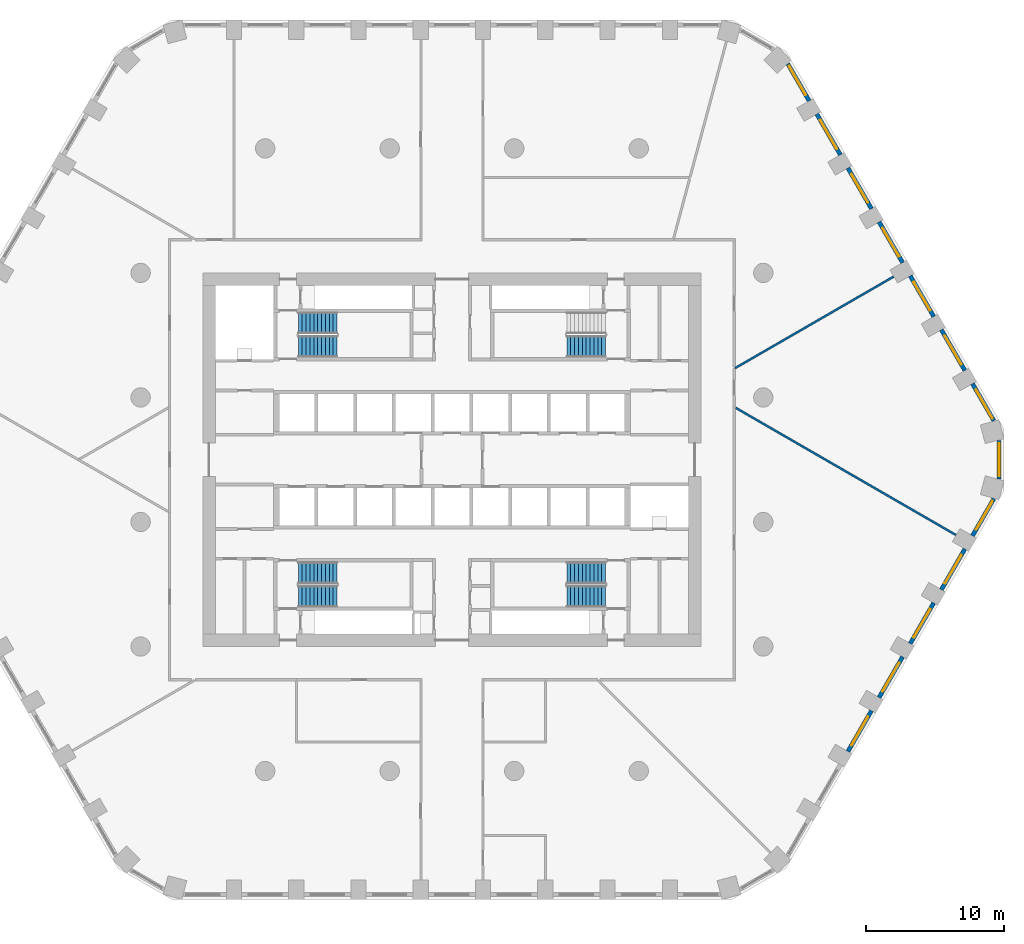
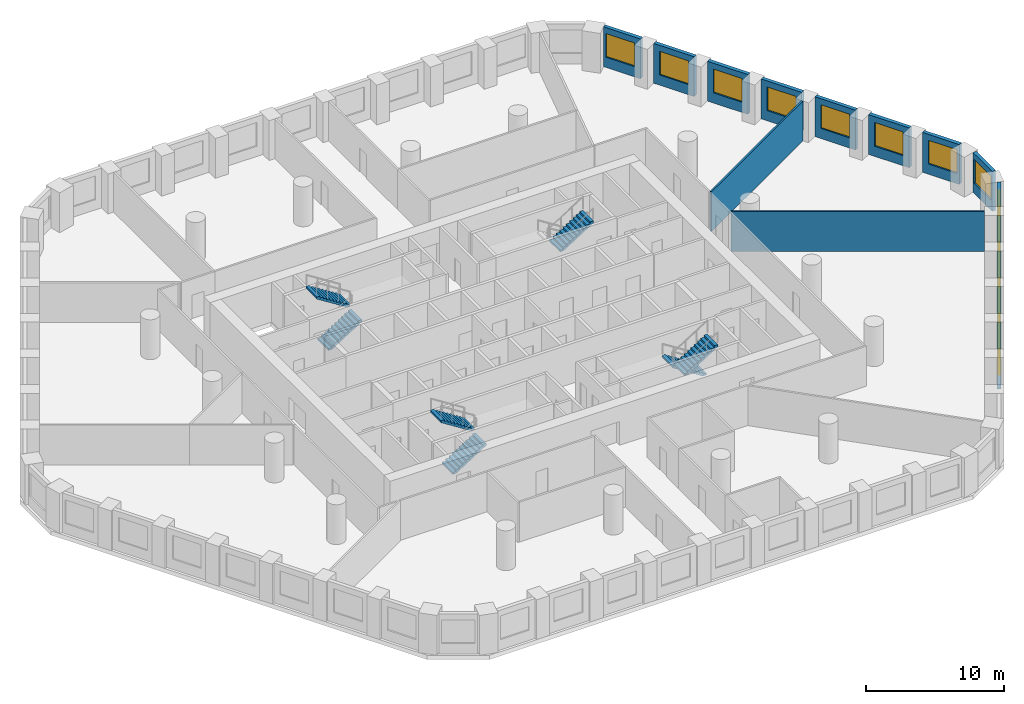
# One storey, part 8 of 10: 15 walls, 13 windows, 7 stair flights, 13 openings, 4 elements without a shape of their own.
"""IFC4 building model written with IfcOpenShell, lengths in metres."""

from ifc_helpers import new_model, si_unit, direction, frame, frame_2d, origin, place, context, subcontext, project, spatial, polyline, rectangle, outline, extrude, material, layer, layer_set, type_object, element, fill, aggregate, save


model = new_model("IFC4")

# Units and contexts
model_context = context("Model", 3, precision=1e-05, world=origin(), true_north=direction((0.0, 1.0)))
body_context = subcontext(model_context, "Body", "Model", "MODEL_VIEW")
ifc_project = project(units=[si_unit("LENGTHUNIT", "METRE"), si_unit("AREAUNIT", "SQUARE_METRE"), si_unit("VOLUMEUNIT", "CUBIC_METRE"), si_unit("PLANEANGLEUNIT", "RADIAN"), si_unit("MASSUNIT", "GRAM", prefix="KILO")], contexts=[model_context])

# Site, building, storey
site_placement = place(None, origin())
site = spatial("IfcSite", under=ifc_project, at=site_placement, CompositionType="ELEMENT")
building_placement = place(site_placement, origin())
building = spatial("IfcBuilding", under=site, at=building_placement, Name="Dhurran Vertical Campus", CompositionType="ELEMENT")
storey_placement = place(building_placement, frame((0.0, 0.0, 49.5)))
storey = spatial("IfcBuildingStorey", under=building, at=storey_placement, Name="L11", CompositionType="ELEMENT", Elevation=49.5)

# Wall, opening, window
ifc_material_1 = material(Name="Precast concrete C50/60", Category="concrete")
ifc_layer_1 = layer(ifc_material_1, 0.300048828125)
ifc_layer_set_1 = layer_set([ifc_layer_1], Name="Precast concrete C50/60")
wall_type_1 = type_object("IfcWallType", Name="Precast spandrel wall 300", PredefinedType="SOLIDWALL", material=ifc_layer_set_1)
wall_1_placement = place(storey_placement, frame((28.619384765625, -21.083740234375, 0.0), z_axis=(0.0, 0.0, 1.0), x_axis=(0.499993955907, 0.866028893315, 0.0)))
wall_1 = element("IfcWall", 1, at=wall_1_placement, inside=storey, type_object=wall_type_1, Name="EW1 L11.12", PredefinedType="SOLIDWALL", context=body_context, shape_type="SweptSolid", body=[
    extrude(rectangle(XDim=3.39892578125, YDim=0.300048828125, at=frame_2d((1.699462890625, 0.0))), origin(), (0.0, 0.0, 1.0), 3.52490234375),
])
opening_1_placement = place(wall_1_placement, frame((0.49951171875, 0.0, 0.89990234375)))
opening_1 = element("IfcOpeningElement", 2, at=opening_1_placement, cuts=wall_1, Name="Opening WT1", PredefinedType="OPENING", context=body_context, shape_type="SweptSolid", body=[
    extrude(rectangle(XDim=2.39990234375, YDim=2.10009765625, at=frame_2d((1.199951171875, 1.050048828125))), frame((0.0, 0.159912109375, 0.0), z_axis=(0.0, -1.0, 0.0), x_axis=(1.0, 0.0, 0.0)), (0.0, 0.0, 1.0), 0.320068359375),
])
ifc_material_2 = material(Name="Aluminium frame with solar-control glass", Category="aluminium")
window_type = type_object("IfcWindowType", Name="Punched window 2400 x 2100", PartitioningType="SINGLE_PANEL", PredefinedType="WINDOW", material=ifc_material_2)
window_1_placement = place(opening_1_placement, origin())
window_1 = element("IfcWindow", 3, at=window_1_placement, inside=storey, type_object=window_type, Name="WT1 L11.12", OverallHeight=2.10009765625, OverallWidth=2.39990234375, PartitioningType="SINGLE_PANEL", PredefinedType="WINDOW", context=body_context, shape_type="SweptSolid", body=[
    extrude(rectangle(XDim=2.39990234375, YDim=2.10009765625, at=frame_2d((1.199951171875, 1.050048828125))), frame((0.0, 0.030029296875, 0.0), z_axis=(0.0, -1.0, 0.0), x_axis=(1.0, 0.0, 0.0)), (0.0, 0.0, 1.0), 0.06005859375),
])
fill(opening_1, window_1)

wall_2_placement = place(storey_placement, frame((30.869384765625, -17.186767578125, 0.0), z_axis=(0.0, 0.0, 1.0), x_axis=(0.499993955907, 0.866028893315, 0.0)))
wall_2 = element("IfcWall", 4, at=wall_2_placement, inside=storey, type_object=wall_type_1, Name="EW1 L11.13", PredefinedType="SOLIDWALL", context=body_context, shape_type="SweptSolid", body=[
    extrude(rectangle(XDim=3.39892578125, YDim=0.300048828125, at=frame_2d((1.699462890625, 0.0))), origin(), (0.0, 0.0, 1.0), 3.52490234375),
])
opening_2_placement = place(wall_2_placement, frame((0.49951171875, 0.0, 0.89990234375)))
opening_2 = element("IfcOpeningElement", 5, at=opening_2_placement, cuts=wall_2, Name="Opening WT1", PredefinedType="OPENING", context=body_context, shape_type="SweptSolid", body=[
    extrude(rectangle(XDim=2.39990234375, YDim=2.10009765625, at=frame_2d((1.199951171875, 1.050048828125))), frame((0.0, 0.159912109375, 0.0), z_axis=(0.0, -1.0, 0.0), x_axis=(1.0, 0.0, 0.0)), (0.0, 0.0, 1.0), 0.320068359375),
])
window_2_placement = place(opening_2_placement, origin())
window_2 = element("IfcWindow", 6, at=window_2_placement, inside=storey, type_object=window_type, Name="WT1 L11.13", OverallHeight=2.10009765625, OverallWidth=2.39990234375, PartitioningType="SINGLE_PANEL", PredefinedType="WINDOW", context=body_context, shape_type="SweptSolid", body=[
    extrude(rectangle(XDim=2.39990234375, YDim=2.10009765625, at=frame_2d((1.199951171875, 1.050048828125))), frame((0.0, 0.030029296875, 0.0), z_axis=(0.0, -1.0, 0.0), x_axis=(1.0, 0.0, 0.0)), (0.0, 0.0, 1.0), 0.06005859375),
])
fill(opening_2, window_2)

wall_3_placement = place(storey_placement, frame((33.119384765625, -13.28955078125, 0.0), z_axis=(0.0, 0.0, 1.0), x_axis=(0.499993955907, 0.866028893315, 0.0)))
wall_3 = element("IfcWall", 7, at=wall_3_placement, inside=storey, type_object=wall_type_1, Name="EW1 L11.14", PredefinedType="SOLIDWALL", context=body_context, shape_type="SweptSolid", body=[
    extrude(rectangle(XDim=3.39892578125, YDim=0.300048828125, at=frame_2d((1.699462890625, 0.0))), origin(), (0.0, 0.0, 1.0), 3.52490234375),
])
opening_3_placement = place(wall_3_placement, frame((0.49951171875, 0.0, 0.89990234375)))
opening_3 = element("IfcOpeningElement", 8, at=opening_3_placement, cuts=wall_3, Name="Opening WT1", PredefinedType="OPENING", context=body_context, shape_type="SweptSolid", body=[
    extrude(rectangle(XDim=2.39990234375, YDim=2.10009765625, at=frame_2d((1.199951171875, 1.050048828125))), frame((0.0, 0.159912109375, 0.0), z_axis=(0.0, -1.0, 0.0), x_axis=(1.0, 0.0, 0.0)), (0.0, 0.0, 1.0), 0.320068359375),
])
window_3_placement = place(opening_3_placement, origin())
window_3 = element("IfcWindow", 9, at=window_3_placement, inside=storey, type_object=window_type, Name="WT1 L11.14", OverallHeight=2.10009765625, OverallWidth=2.39990234375, PartitioningType="SINGLE_PANEL", PredefinedType="WINDOW", context=body_context, shape_type="SweptSolid", body=[
    extrude(rectangle(XDim=2.39990234375, YDim=2.10009765625, at=frame_2d((1.199951171875, 1.050048828125))), frame((0.0, 0.030029296875, 0.0), z_axis=(0.0, -1.0, 0.0), x_axis=(1.0, 0.0, 0.0)), (0.0, 0.0, 1.0), 0.06005859375),
])
fill(opening_3, window_3)

wall_4_placement = place(storey_placement, frame((35.369384765625, -9.392578125, 0.0), z_axis=(0.0, 0.0, 1.0), x_axis=(0.499993955907, 0.866028893315, 0.0)))
wall_4 = element("IfcWall", 10, at=wall_4_placement, inside=storey, type_object=wall_type_1, Name="EW1 L11.15", PredefinedType="SOLIDWALL", context=body_context, shape_type="SweptSolid", body=[
    extrude(rectangle(XDim=3.39892578125, YDim=0.300048828125, at=frame_2d((1.699462890625, 0.0))), origin(), (0.0, 0.0, 1.0), 3.52490234375),
])
opening_4_placement = place(wall_4_placement, frame((0.49951171875, 0.0, 0.89990234375)))
opening_4 = element("IfcOpeningElement", 11, at=opening_4_placement, cuts=wall_4, Name="Opening WT1", PredefinedType="OPENING", context=body_context, shape_type="SweptSolid", body=[
    extrude(rectangle(XDim=2.39990234375, YDim=2.10009765625, at=frame_2d((1.199951171875, 1.050048828125))), frame((0.0, 0.159912109375, 0.0), z_axis=(0.0, -1.0, 0.0), x_axis=(1.0, 0.0, 0.0)), (0.0, 0.0, 1.0), 0.320068359375),
])
window_4_placement = place(opening_4_placement, origin())
window_4 = element("IfcWindow", 12, at=window_4_placement, inside=storey, type_object=window_type, Name="WT1 L11.15", OverallHeight=2.10009765625, OverallWidth=2.39990234375, PartitioningType="SINGLE_PANEL", PredefinedType="WINDOW", context=body_context, shape_type="SweptSolid", body=[
    extrude(rectangle(XDim=2.39990234375, YDim=2.10009765625, at=frame_2d((1.199951171875, 1.050048828125))), frame((0.0, 0.030029296875, 0.0), z_axis=(0.0, -1.0, 0.0), x_axis=(1.0, 0.0, 0.0)), (0.0, 0.0, 1.0), 0.06005859375),
])
fill(opening_4, window_4)

wall_5_placement = place(storey_placement, frame((37.619384765625, -5.495361328125, 0.0), z_axis=(0.0, 0.0, 1.0), x_axis=(0.49997090907, 0.866042198789, 0.0)))
wall_5 = element("IfcWall", 13, at=wall_5_placement, inside=storey, type_object=wall_type_1, Name="EW1 L11.16", PredefinedType="SOLIDWALL", context=body_context, shape_type="SweptSolid", body=[
    extrude(rectangle(XDim=3.090576171875, YDim=0.300048828125, at=frame_2d((1.54541015625, 0.0))), origin(), (0.0, 0.0, 1.0), 3.52490234375),
])
opening_5_placement = place(wall_5_placement, frame((0.49951171875, 0.0, 0.89990234375)))
opening_5 = element("IfcOpeningElement", 14, at=opening_5_placement, cuts=wall_5, Name="Opening WT1", PredefinedType="OPENING", context=body_context, shape_type="SweptSolid", body=[
    extrude(rectangle(XDim=2.39990234375, YDim=2.10009765625, at=frame_2d((1.199951171875, 1.050048828125))), frame((0.0, 0.159912109375, 0.0), z_axis=(0.0, -1.0, 0.0), x_axis=(1.0, 0.0, 0.0)), (0.0, 0.0, 1.0), 0.320068359375),
])
window_5_placement = place(opening_5_placement, origin())
window_5 = element("IfcWindow", 15, at=window_5_placement, inside=storey, type_object=window_type, Name="WT1 L11.16", OverallHeight=2.10009765625, OverallWidth=2.39990234375, PartitioningType="SINGLE_PANEL", PredefinedType="WINDOW", context=body_context, shape_type="SweptSolid", body=[
    extrude(rectangle(XDim=2.39990234375, YDim=2.10009765625, at=frame_2d((1.199951171875, 1.050048828125))), frame((0.0, 0.030029296875, 0.0), z_axis=(0.0, -1.0, 0.0), x_axis=(1.0, 0.0, 0.0)), (0.0, 0.0, 1.0), 0.06005859375),
])
fill(opening_5, window_5)

wall_6_placement = place(storey_placement, frame((39.547119140625, -1.39111328125, 0.0), z_axis=(0.0, 0.0, 1.0), x_axis=(0.0, 1.0, 0.0)))
wall_6 = element("IfcWall", 16, at=wall_6_placement, inside=storey, type_object=wall_type_1, Name="EW1 L11.17", PredefinedType="SOLIDWALL", context=body_context, shape_type="SweptSolid", body=[
    extrude(rectangle(XDim=2.7822265625, YDim=0.300048828125, at=frame_2d((1.39111328125, 0.0))), origin(), (0.0, 0.0, 1.0), 3.52490234375),
])
opening_6_placement = place(wall_6_placement, frame((0.191162109375, 0.0, 0.89990234375)))
opening_6 = element("IfcOpeningElement", 17, at=opening_6_placement, cuts=wall_6, Name="Opening WT1", PredefinedType="OPENING", context=body_context, shape_type="SweptSolid", body=[
    extrude(rectangle(XDim=2.39990234375, YDim=2.10009765625, at=frame_2d((1.199951171875, 1.050048828125))), frame((0.0, 0.159912109375, 0.0), z_axis=(0.0, -1.0, 0.0), x_axis=(1.0, 0.0, 0.0)), (0.0, 0.0, 1.0), 0.320068359375),
])
window_6_placement = place(opening_6_placement, origin())
window_6 = element("IfcWindow", 18, at=window_6_placement, inside=storey, type_object=window_type, Name="WT1 L11.17", OverallHeight=2.10009765625, OverallWidth=2.39990234375, PartitioningType="SINGLE_PANEL", PredefinedType="WINDOW", context=body_context, shape_type="SweptSolid", body=[
    extrude(rectangle(XDim=2.39990234375, YDim=2.10009765625, at=frame_2d((1.199951171875, 1.050048828125))), frame((0.0, 0.030029296875, 0.0), z_axis=(0.0, -1.0, 0.0), x_axis=(1.0, 0.0, 0.0)), (0.0, 0.0, 1.0), 0.06005859375),
])
fill(opening_6, window_6)

wall_7_placement = place(storey_placement, frame((39.16455078125, 2.81884765625, 0.0), z_axis=(0.0, 0.0, 1.0), x_axis=(-0.49997090907, 0.866042198789, 0.0)))
wall_7 = element("IfcWall", 19, at=wall_7_placement, inside=storey, type_object=wall_type_1, Name="EW1 L11.18", PredefinedType="SOLIDWALL", context=body_context, shape_type="SweptSolid", body=[
    extrude(rectangle(XDim=3.090576171875, YDim=0.300048828125, at=frame_2d((1.54541015625, 0.0))), origin(), (0.0, 0.0, 1.0), 3.52490234375),
])
opening_7_placement = place(wall_7_placement, frame((0.19091796875, 0.0, 0.89990234375)))
opening_7 = element("IfcOpeningElement", 20, at=opening_7_placement, cuts=wall_7, Name="Opening WT1", PredefinedType="OPENING", context=body_context, shape_type="SweptSolid", body=[
    extrude(rectangle(XDim=2.39990234375, YDim=2.10009765625, at=frame_2d((1.199951171875, 1.050048828125))), frame((0.0, 0.159912109375, 0.0), z_axis=(0.0, -1.0, 0.0), x_axis=(1.0, 0.0, 0.0)), (0.0, 0.0, 1.0), 0.320068359375),
])
window_7_placement = place(opening_7_placement, origin())
window_7 = element("IfcWindow", 21, at=window_7_placement, inside=storey, type_object=window_type, Name="WT1 L11.18", OverallHeight=2.10009765625, OverallWidth=2.39990234375, PartitioningType="SINGLE_PANEL", PredefinedType="WINDOW", context=body_context, shape_type="SweptSolid", body=[
    extrude(rectangle(XDim=2.39990234375, YDim=2.10009765625, at=frame_2d((1.199951171875, 1.050048828125))), frame((0.0, 0.030029296875, 0.0), z_axis=(0.0, -1.0, 0.0), x_axis=(1.0, 0.0, 0.0)), (0.0, 0.0, 1.0), 0.06005859375),
])
fill(opening_7, window_7)

wall_8_placement = place(storey_placement, frame((37.06884765625, 6.448974609375, 0.0), z_axis=(0.0, 0.0, 1.0), x_axis=(-0.499993955907, 0.866028893315, 0.0)))
wall_8 = element("IfcWall", 22, at=wall_8_placement, inside=storey, type_object=wall_type_1, Name="EW1 L11.19", PredefinedType="SOLIDWALL", context=body_context, shape_type="SweptSolid", body=[
    extrude(rectangle(XDim=3.39892578125, YDim=0.300048828125, at=frame_2d((1.699462890625, 0.0))), origin(), (0.0, 0.0, 1.0), 3.52490234375),
])
opening_8_placement = place(wall_8_placement, frame((0.49951171875, 0.0, 0.89990234375)))
opening_8 = element("IfcOpeningElement", 23, at=opening_8_placement, cuts=wall_8, Name="Opening WT1", PredefinedType="OPENING", context=body_context, shape_type="SweptSolid", body=[
    extrude(rectangle(XDim=2.39990234375, YDim=2.10009765625, at=frame_2d((1.199951171875, 1.050048828125))), frame((0.0, 0.159912109375, 0.0), z_axis=(0.0, -1.0, 0.0), x_axis=(1.0, 0.0, 0.0)), (0.0, 0.0, 1.0), 0.320068359375),
])
window_8_placement = place(opening_8_placement, origin())
window_8 = element("IfcWindow", 24, at=window_8_placement, inside=storey, type_object=window_type, Name="WT1 L11.19", OverallHeight=2.10009765625, OverallWidth=2.39990234375, PartitioningType="SINGLE_PANEL", PredefinedType="WINDOW", context=body_context, shape_type="SweptSolid", body=[
    extrude(rectangle(XDim=2.39990234375, YDim=2.10009765625, at=frame_2d((1.199951171875, 1.050048828125))), frame((0.0, 0.030029296875, 0.0), z_axis=(0.0, -1.0, 0.0), x_axis=(1.0, 0.0, 0.0)), (0.0, 0.0, 1.0), 0.06005859375),
])
fill(opening_8, window_8)

wall_9_placement = place(storey_placement, frame((34.81884765625, 10.345947265625, 0.0), z_axis=(0.0, 0.0, 1.0), x_axis=(-0.499993955907, 0.866028893315, 0.0)))
wall_9 = element("IfcWall", 25, at=wall_9_placement, inside=storey, type_object=wall_type_1, Name="EW1 L11.20", PredefinedType="SOLIDWALL", context=body_context, shape_type="SweptSolid", body=[
    extrude(rectangle(XDim=3.39892578125, YDim=0.300048828125, at=frame_2d((1.699462890625, 0.0))), origin(), (0.0, 0.0, 1.0), 3.52490234375),
])
opening_9_placement = place(wall_9_placement, frame((0.49951171875, 0.0, 0.89990234375)))
opening_9 = element("IfcOpeningElement", 26, at=opening_9_placement, cuts=wall_9, Name="Opening WT1", PredefinedType="OPENING", context=body_context, shape_type="SweptSolid", body=[
    extrude(rectangle(XDim=2.39990234375, YDim=2.10009765625, at=frame_2d((1.199951171875, 1.050048828125))), frame((0.0, 0.159912109375, 0.0), z_axis=(0.0, -1.0, 0.0), x_axis=(1.0, 0.0, 0.0)), (0.0, 0.0, 1.0), 0.320068359375),
])
window_9_placement = place(opening_9_placement, origin())
window_9 = element("IfcWindow", 27, at=window_9_placement, inside=storey, type_object=window_type, Name="WT1 L11.20", OverallHeight=2.10009765625, OverallWidth=2.39990234375, PartitioningType="SINGLE_PANEL", PredefinedType="WINDOW", context=body_context, shape_type="SweptSolid", body=[
    extrude(rectangle(XDim=2.39990234375, YDim=2.10009765625, at=frame_2d((1.199951171875, 1.050048828125))), frame((0.0, 0.030029296875, 0.0), z_axis=(0.0, -1.0, 0.0), x_axis=(1.0, 0.0, 0.0)), (0.0, 0.0, 1.0), 0.06005859375),
])
fill(opening_9, window_9)

wall_10_placement = place(storey_placement, frame((32.56884765625, 14.2431640625, 0.0), z_axis=(0.0, 0.0, 1.0), x_axis=(-0.499993955907, 0.866028893315, 0.0)))
wall_10 = element("IfcWall", 28, at=wall_10_placement, inside=storey, type_object=wall_type_1, Name="EW1 L11.21", PredefinedType="SOLIDWALL", context=body_context, shape_type="SweptSolid", body=[
    extrude(rectangle(XDim=3.39892578125, YDim=0.300048828125, at=frame_2d((1.699462890625, 0.0))), origin(), (0.0, 0.0, 1.0), 3.52490234375),
])
opening_10_placement = place(wall_10_placement, frame((0.49951171875, 0.0, 0.89990234375)))
opening_10 = element("IfcOpeningElement", 29, at=opening_10_placement, cuts=wall_10, Name="Opening WT1", PredefinedType="OPENING", context=body_context, shape_type="SweptSolid", body=[
    extrude(rectangle(XDim=2.39990234375, YDim=2.10009765625, at=frame_2d((1.199951171875, 1.050048828125))), frame((0.0, 0.159912109375, 0.0), z_axis=(0.0, -1.0, 0.0), x_axis=(1.0, 0.0, 0.0)), (0.0, 0.0, 1.0), 0.320068359375),
])
window_10_placement = place(opening_10_placement, origin())
window_10 = element("IfcWindow", 30, at=window_10_placement, inside=storey, type_object=window_type, Name="WT1 L11.21", OverallHeight=2.10009765625, OverallWidth=2.39990234375, PartitioningType="SINGLE_PANEL", PredefinedType="WINDOW", context=body_context, shape_type="SweptSolid", body=[
    extrude(rectangle(XDim=2.39990234375, YDim=2.10009765625, at=frame_2d((1.199951171875, 1.050048828125))), frame((0.0, 0.030029296875, 0.0), z_axis=(0.0, -1.0, 0.0), x_axis=(1.0, 0.0, 0.0)), (0.0, 0.0, 1.0), 0.06005859375),
])
fill(opening_10, window_10)

wall_11_placement = place(storey_placement, frame((30.31884765625, 18.14013671875, 0.0), z_axis=(0.0, 0.0, 1.0), x_axis=(-0.499993955907, 0.866028893315, 0.0)))
wall_11 = element("IfcWall", 31, at=wall_11_placement, inside=storey, type_object=wall_type_1, Name="EW1 L11.22", PredefinedType="SOLIDWALL", context=body_context, shape_type="SweptSolid", body=[
    extrude(rectangle(XDim=3.39892578125, YDim=0.300048828125, at=frame_2d((1.699462890625, 0.0))), origin(), (0.0, 0.0, 1.0), 3.52490234375),
])
opening_11_placement = place(wall_11_placement, frame((0.49951171875, 0.0, 0.89990234375)))
opening_11 = element("IfcOpeningElement", 32, at=opening_11_placement, cuts=wall_11, Name="Opening WT1", PredefinedType="OPENING", context=body_context, shape_type="SweptSolid", body=[
    extrude(rectangle(XDim=2.39990234375, YDim=2.10009765625, at=frame_2d((1.199951171875, 1.050048828125))), frame((0.0, 0.159912109375, 0.0), z_axis=(0.0, -1.0, 0.0), x_axis=(1.0, 0.0, 0.0)), (0.0, 0.0, 1.0), 0.320068359375),
])
window_11_placement = place(opening_11_placement, origin())
window_11 = element("IfcWindow", 33, at=window_11_placement, inside=storey, type_object=window_type, Name="WT1 L11.22", OverallHeight=2.10009765625, OverallWidth=2.39990234375, PartitioningType="SINGLE_PANEL", PredefinedType="WINDOW", context=body_context, shape_type="SweptSolid", body=[
    extrude(rectangle(XDim=2.39990234375, YDim=2.10009765625, at=frame_2d((1.199951171875, 1.050048828125))), frame((0.0, 0.030029296875, 0.0), z_axis=(0.0, -1.0, 0.0), x_axis=(1.0, 0.0, 0.0)), (0.0, 0.0, 1.0), 0.06005859375),
])
fill(opening_11, window_11)

wall_12_placement = place(storey_placement, frame((28.06884765625, 22.037353515625, 0.0), z_axis=(0.0, 0.0, 1.0), x_axis=(-0.499993955907, 0.866028893315, 0.0)))
wall_12 = element("IfcWall", 34, at=wall_12_placement, inside=storey, type_object=wall_type_1, Name="EW1 L11.23", PredefinedType="SOLIDWALL", context=body_context, shape_type="SweptSolid", body=[
    extrude(rectangle(XDim=3.39892578125, YDim=0.300048828125, at=frame_2d((1.699462890625, 0.0))), origin(), (0.0, 0.0, 1.0), 3.52490234375),
])
opening_12_placement = place(wall_12_placement, frame((0.49951171875, 0.0, 0.89990234375)))
opening_12 = element("IfcOpeningElement", 35, at=opening_12_placement, cuts=wall_12, Name="Opening WT1", PredefinedType="OPENING", context=body_context, shape_type="SweptSolid", body=[
    extrude(rectangle(XDim=2.39990234375, YDim=2.10009765625, at=frame_2d((1.199951171875, 1.050048828125))), frame((0.0, 0.159912109375, 0.0), z_axis=(0.0, -1.0, 0.0), x_axis=(1.0, 0.0, 0.0)), (0.0, 0.0, 1.0), 0.320068359375),
])
window_12_placement = place(opening_12_placement, origin())
window_12 = element("IfcWindow", 36, at=window_12_placement, inside=storey, type_object=window_type, Name="WT1 L11.23", OverallHeight=2.10009765625, OverallWidth=2.39990234375, PartitioningType="SINGLE_PANEL", PredefinedType="WINDOW", context=body_context, shape_type="SweptSolid", body=[
    extrude(rectangle(XDim=2.39990234375, YDim=2.10009765625, at=frame_2d((1.199951171875, 1.050048828125))), frame((0.0, 0.030029296875, 0.0), z_axis=(0.0, -1.0, 0.0), x_axis=(1.0, 0.0, 0.0)), (0.0, 0.0, 1.0), 0.06005859375),
])
fill(opening_12, window_12)

wall_13_placement = place(storey_placement, frame((25.81884765625, 25.934326171875, 0.0), z_axis=(0.0, 0.0, 1.0), x_axis=(-0.499995950774, 0.866027741594, 0.0)))
wall_13 = element("IfcWall", 37, at=wall_13_placement, inside=storey, type_object=wall_type_1, Name="EW1 L11.24", PredefinedType="SOLIDWALL", context=body_context, shape_type="SweptSolid", body=[
    extrude(rectangle(XDim=3.0908203125, YDim=0.300048828125, at=frame_2d((1.54541015625, 0.0))), origin(), (0.0, 0.0, 1.0), 3.52490234375),
])
opening_13_placement = place(wall_13_placement, frame((0.49951171875, 0.0, 0.89990234375)))
opening_13 = element("IfcOpeningElement", 38, at=opening_13_placement, cuts=wall_13, Name="Opening WT1", PredefinedType="OPENING", context=body_context, shape_type="SweptSolid", body=[
    extrude(rectangle(XDim=2.39990234375, YDim=2.10009765625, at=frame_2d((1.199951171875, 1.050048828125))), frame((0.0, 0.159912109375, 0.0), z_axis=(0.0, -1.0, 0.0), x_axis=(1.0, 0.0, 0.0)), (0.0, 0.0, 1.0), 0.320068359375),
])
window_13_placement = place(opening_13_placement, origin())
window_13 = element("IfcWindow", 39, at=window_13_placement, inside=storey, type_object=window_type, Name="WT1 L11.24", OverallHeight=2.10009765625, OverallWidth=2.39990234375, PartitioningType="SINGLE_PANEL", PredefinedType="WINDOW", context=body_context, shape_type="SweptSolid", body=[
    extrude(rectangle(XDim=2.39990234375, YDim=2.10009765625, at=frame_2d((1.199951171875, 1.050048828125))), frame((0.0, 0.030029296875, 0.0), z_axis=(0.0, -1.0, 0.0), x_axis=(1.0, 0.0, 0.0)), (0.0, 0.0, 1.0), 0.06005859375),
])
fill(opening_13, window_13)

# Walls
ifc_material_3 = material(Name="Gypsum board partition on steel studs", Category="steel")
ifc_layer_2 = layer(ifc_material_3, 0.14990234375)
ifc_layer_set_2 = layer_set([ifc_layer_2], Name="Gypsum board partition on steel studs")
wall_type_2 = type_object("IfcWallType", Name="fl-PW-150 fixed partition", PredefinedType="PARTITIONING", material=ifc_layer_set_2)
wall_14_placement = place(storey_placement, frame((20.5126953125, 3.74609375, 0.0), z_axis=(0.0, 0.0, 1.0), x_axis=(0.866010916479, -0.500025091909, 0.0)))
element("IfcWall", 40, at=wall_14_placement, inside=storey, type_object=wall_type_2, Name="Partition 11-41", PredefinedType="PARTITIONING", context=body_context, shape_type="SweptSolid", body=[
    extrude(rectangle(XDim=18.365234375, YDim=0.14990234375, at=frame_2d((9.1826171875, 0.0))), origin(), (0.0, 0.0, 1.0), 3.52490234375),
])
wall_15_placement = place(storey_placement, frame((31.91748046875, 13.231201171875, 0.0), z_axis=(0.0, 0.0, 1.0), x_axis=(-0.866032788616, -0.499987208879, 0.0)))
element("IfcWall", 41, at=wall_15_placement, inside=storey, type_object=wall_type_2, Name="Partition 11-43", PredefinedType="PARTITIONING", context=body_context, shape_type="SweptSolid", body=[
    extrude(rectangle(XDim=13.223876953125, YDim=0.14990234375, at=frame_2d((6.61181640625, 0.0))), origin(), (0.0, 0.0, 1.0), 3.52490234375),
])

# Stair, stair flights
ifc_material_4 = material(Name="Concrete C40/50", Category="concrete")
stair_type = type_object("IfcStairType", Name="co-ST-CORE", PredefinedType="HALF_TURN_STAIR", material=ifc_material_4)
stair_1_placement = place(storey_placement, origin())
stair_1 = element("IfcStair", 42, at=stair_1_placement, inside=storey, type_object=stair_type, Name="L11 Protected exit stair ST1", PredefinedType="HALF_TURN_STAIR")
ifc_material_5 = material(Name="Concrete C40/50", Category="concrete")
stair_flight_type = type_object("IfcStairFlightType", Name="co-SFL-RC", PredefinedType="STRAIGHT", material=ifc_material_5)
stair_flight_1_placement = place(storey_placement, frame((-11.10009765625, 8.175048828125, 0.0), z_axis=(0.0, 0.0, 1.0), x_axis=(1.0, 0.0, 0.0)))
stair_flight_1 = element("IfcStairFlight", 43, at=stair_flight_1_placement, type_object=stair_flight_type, Name="ST1 flight 1", NumberOfRisers=11, NumberOfTreads=10, PredefinedType="STRAIGHT", RiserHeight=0.177272727, TreadLength=0.28, context=body_context, shape_type="SweptSolid", body=[
    extrude(outline(polyline([(0.0, 0.0), (0.0, 0.17724609375), (0.280029296875, 0.17724609375), (0.280029296875, 0.3544921875), (0.56005859375, 0.3544921875), (0.56005859375, 0.53173828125), (0.840087890625, 0.53173828125), (0.840087890625, 0.708984375), (1.1201171875, 0.708984375), (1.1201171875, 0.886474609375), (1.39990234375, 0.886474609375), (1.39990234375, 1.063720703125), (1.679931640625, 1.063720703125), (1.679931640625, 1.240966796875), (1.9599609375, 1.240966796875), (1.9599609375, 1.418212890625), (2.239990234375, 1.418212890625), (2.239990234375, 1.595458984375), (2.52001953125, 1.595458984375), (2.52001953125, 1.772705078125), (2.800048828125, 1.772705078125), (2.800048828125, 1.949951171875), (2.800048828125, 1.59521484375), (0.2802734375, 0.0), (0.0, 0.0)])), frame((0.0, 0.77490234375, 0.0), z_axis=(0.0, -1.0, 0.0), x_axis=(1.0, 0.0, 0.0)), (0.0, 0.0, 1.0), 1.550048828125),
])
stair_flight_2_placement = place(storey_placement, frame((-8.300048828125, 9.875, 1.949951171875), z_axis=(0.0, 0.0, 1.0), x_axis=(-1.0, 0.0, 0.0)))
stair_flight_2 = element("IfcStairFlight", 44, at=stair_flight_2_placement, type_object=stair_flight_type, Name="ST1 flight 2", NumberOfRisers=11, NumberOfTreads=10, PredefinedType="STRAIGHT", RiserHeight=0.177272727, TreadLength=0.28, context=body_context, shape_type="SweptSolid", body=[
    extrude(outline(polyline([(0.0, 0.0), (0.0, 0.17724609375), (0.280029296875, 0.17724609375), (0.280029296875, 0.3544921875), (0.56005859375, 0.3544921875), (0.56005859375, 0.53173828125), (0.840087890625, 0.53173828125), (0.840087890625, 0.708984375), (1.1201171875, 0.708984375), (1.1201171875, 0.886474609375), (1.39990234375, 0.886474609375), (1.39990234375, 1.063720703125), (1.679931640625, 1.063720703125), (1.679931640625, 1.240966796875), (1.9599609375, 1.240966796875), (1.9599609375, 1.418212890625), (2.239990234375, 1.418212890625), (2.239990234375, 1.595458984375), (2.52001953125, 1.595458984375), (2.52001953125, 1.772705078125), (2.800048828125, 1.772705078125), (2.800048828125, 1.949951171875), (2.800048828125, 1.59521484375), (0.2802734375, 0.0), (0.0, 0.0)])), frame((0.0, 0.77490234375, 0.0), z_axis=(0.0, -1.0, 0.0), x_axis=(1.0, 0.0, 0.0)), (0.0, 0.0, 1.0), 1.550048828125),
])
aggregate(stair_1, [stair_flight_1, stair_flight_2])

# Stair, stair flight
stair_2_placement = place(storey_placement, origin())
stair_2 = element("IfcStair", 45, at=stair_2_placement, inside=storey, type_object=stair_type, Name="L11 Protected exit stair ST2", PredefinedType="HALF_TURN_STAIR")
stair_flight_3_placement = place(storey_placement, frame((8.300048828125, 8.175048828125, 1.949951171875), z_axis=(0.0, 0.0, 1.0), x_axis=(1.0, 0.0, 0.0)))
stair_flight_3 = element("IfcStairFlight", 46, at=stair_flight_3_placement, type_object=stair_flight_type, Name="ST2 flight 2", NumberOfRisers=11, NumberOfTreads=10, PredefinedType="STRAIGHT", RiserHeight=0.177272727, TreadLength=0.28, context=body_context, shape_type="SweptSolid", body=[
    extrude(outline(polyline([(0.0, 0.0), (0.0, 0.17724609375), (0.280029296875, 0.17724609375), (0.280029296875, 0.3544921875), (0.56005859375, 0.3544921875), (0.56005859375, 0.53173828125), (0.840087890625, 0.53173828125), (0.840087890625, 0.708984375), (1.1201171875, 0.708984375), (1.1201171875, 0.886474609375), (1.39990234375, 0.886474609375), (1.39990234375, 1.063720703125), (1.679931640625, 1.063720703125), (1.679931640625, 1.240966796875), (1.9599609375, 1.240966796875), (1.9599609375, 1.418212890625), (2.239990234375, 1.418212890625), (2.239990234375, 1.595458984375), (2.52001953125, 1.595458984375), (2.52001953125, 1.772705078125), (2.800048828125, 1.772705078125), (2.800048828125, 1.949951171875), (2.800048828125, 1.59521484375), (0.2802734375, 0.0), (0.0, 0.0)])), frame((0.0, 0.77490234375, 0.0), z_axis=(0.0, -1.0, 0.0), x_axis=(1.0, 0.0, 0.0)), (0.0, 0.0, 1.0), 1.550048828125),
])
aggregate(stair_2, [stair_flight_3])

# Stair, stair flights
stair_3_placement = place(storey_placement, origin())
stair_3 = element("IfcStair", 47, at=stair_3_placement, inside=storey, type_object=stair_type, Name="L11 Protected exit stair ST3", PredefinedType="HALF_TURN_STAIR")
stair_flight_4_placement = place(storey_placement, frame((-11.10009765625, -9.875, 0.0), z_axis=(0.0, 0.0, 1.0), x_axis=(1.0, 0.0, 0.0)))
stair_flight_4 = element("IfcStairFlight", 48, at=stair_flight_4_placement, type_object=stair_flight_type, Name="ST3 flight 1", NumberOfRisers=11, NumberOfTreads=10, PredefinedType="STRAIGHT", RiserHeight=0.177272727, TreadLength=0.28, context=body_context, shape_type="SweptSolid", body=[
    extrude(outline(polyline([(0.0, 0.0), (0.0, 0.17724609375), (0.280029296875, 0.17724609375), (0.280029296875, 0.3544921875), (0.56005859375, 0.3544921875), (0.56005859375, 0.53173828125), (0.840087890625, 0.53173828125), (0.840087890625, 0.708984375), (1.1201171875, 0.708984375), (1.1201171875, 0.886474609375), (1.39990234375, 0.886474609375), (1.39990234375, 1.063720703125), (1.679931640625, 1.063720703125), (1.679931640625, 1.240966796875), (1.9599609375, 1.240966796875), (1.9599609375, 1.418212890625), (2.239990234375, 1.418212890625), (2.239990234375, 1.595458984375), (2.52001953125, 1.595458984375), (2.52001953125, 1.772705078125), (2.800048828125, 1.772705078125), (2.800048828125, 1.949951171875), (2.800048828125, 1.59521484375), (0.2802734375, 0.0), (0.0, 0.0)])), frame((0.0, 0.77490234375, 0.0), z_axis=(0.0, -1.0, 0.0), x_axis=(1.0, 0.0, 0.0)), (0.0, 0.0, 1.0), 1.550048828125),
])
stair_flight_5_placement = place(storey_placement, frame((-8.300048828125, -8.175048828125, 1.949951171875), z_axis=(0.0, 0.0, 1.0), x_axis=(-1.0, 0.0, 0.0)))
stair_flight_5 = element("IfcStairFlight", 49, at=stair_flight_5_placement, type_object=stair_flight_type, Name="ST3 flight 2", NumberOfRisers=11, NumberOfTreads=10, PredefinedType="STRAIGHT", RiserHeight=0.177272727, TreadLength=0.28, context=body_context, shape_type="SweptSolid", body=[
    extrude(outline(polyline([(0.0, 0.0), (0.0, 0.17724609375), (0.280029296875, 0.17724609375), (0.280029296875, 0.3544921875), (0.56005859375, 0.3544921875), (0.56005859375, 0.53173828125), (0.840087890625, 0.53173828125), (0.840087890625, 0.708984375), (1.1201171875, 0.708984375), (1.1201171875, 0.886474609375), (1.39990234375, 0.886474609375), (1.39990234375, 1.063720703125), (1.679931640625, 1.063720703125), (1.679931640625, 1.240966796875), (1.9599609375, 1.240966796875), (1.9599609375, 1.418212890625), (2.239990234375, 1.418212890625), (2.239990234375, 1.595458984375), (2.52001953125, 1.595458984375), (2.52001953125, 1.772705078125), (2.800048828125, 1.772705078125), (2.800048828125, 1.949951171875), (2.800048828125, 1.59521484375), (0.2802734375, 0.0), (0.0, 0.0)])), frame((0.0, 0.77490234375, 0.0), z_axis=(0.0, -1.0, 0.0), x_axis=(1.0, 0.0, 0.0)), (0.0, 0.0, 1.0), 1.550048828125),
])
aggregate(stair_3, [stair_flight_4, stair_flight_5])

stair_4_placement = place(storey_placement, origin())
stair_4 = element("IfcStair", 50, at=stair_4_placement, inside=storey, type_object=stair_type, Name="L11 Protected exit stair ST4", PredefinedType="HALF_TURN_STAIR")
stair_flight_6_placement = place(storey_placement, frame((11.10009765625, -8.175048828125, 0.0), z_axis=(0.0, 0.0, 1.0), x_axis=(-1.0, 0.0, 0.0)))
stair_flight_6 = element("IfcStairFlight", 51, at=stair_flight_6_placement, type_object=stair_flight_type, Name="ST4 flight 1", NumberOfRisers=11, NumberOfTreads=10, PredefinedType="STRAIGHT", RiserHeight=0.177272727, TreadLength=0.28, context=body_context, shape_type="SweptSolid", body=[
    extrude(outline(polyline([(0.0, 0.0), (0.0, 0.17724609375), (0.280029296875, 0.17724609375), (0.280029296875, 0.3544921875), (0.56005859375, 0.3544921875), (0.56005859375, 0.53173828125), (0.840087890625, 0.53173828125), (0.840087890625, 0.708984375), (1.1201171875, 0.708984375), (1.1201171875, 0.886474609375), (1.39990234375, 0.886474609375), (1.39990234375, 1.063720703125), (1.679931640625, 1.063720703125), (1.679931640625, 1.240966796875), (1.9599609375, 1.240966796875), (1.9599609375, 1.418212890625), (2.239990234375, 1.418212890625), (2.239990234375, 1.595458984375), (2.52001953125, 1.595458984375), (2.52001953125, 1.772705078125), (2.800048828125, 1.772705078125), (2.800048828125, 1.949951171875), (2.800048828125, 1.59521484375), (0.2802734375, 0.0), (0.0, 0.0)])), frame((0.0, 0.77490234375, 0.0), z_axis=(0.0, -1.0, 0.0), x_axis=(1.0, 0.0, 0.0)), (0.0, 0.0, 1.0), 1.550048828125),
])
stair_flight_7_placement = place(storey_placement, frame((8.300048828125, -9.875, 1.949951171875), z_axis=(0.0, 0.0, 1.0), x_axis=(1.0, 0.0, 0.0)))
stair_flight_7 = element("IfcStairFlight", 52, at=stair_flight_7_placement, type_object=stair_flight_type, Name="ST4 flight 2", NumberOfRisers=11, NumberOfTreads=10, PredefinedType="STRAIGHT", RiserHeight=0.177272727, TreadLength=0.28, context=body_context, shape_type="SweptSolid", body=[
    extrude(outline(polyline([(0.0, 0.0), (0.0, 0.17724609375), (0.280029296875, 0.17724609375), (0.280029296875, 0.3544921875), (0.56005859375, 0.3544921875), (0.56005859375, 0.53173828125), (0.840087890625, 0.53173828125), (0.840087890625, 0.708984375), (1.1201171875, 0.708984375), (1.1201171875, 0.886474609375), (1.39990234375, 0.886474609375), (1.39990234375, 1.063720703125), (1.679931640625, 1.063720703125), (1.679931640625, 1.240966796875), (1.9599609375, 1.240966796875), (1.9599609375, 1.418212890625), (2.239990234375, 1.418212890625), (2.239990234375, 1.595458984375), (2.52001953125, 1.595458984375), (2.52001953125, 1.772705078125), (2.800048828125, 1.772705078125), (2.800048828125, 1.949951171875), (2.800048828125, 1.59521484375), (0.2802734375, 0.0), (0.0, 0.0)])), frame((0.0, 0.77490234375, 0.0), z_axis=(0.0, -1.0, 0.0), x_axis=(1.0, 0.0, 0.0)), (0.0, 0.0, 1.0), 1.550048828125),
])
aggregate(stair_4, [stair_flight_6, stair_flight_7])

save(model, "model.ifc")
